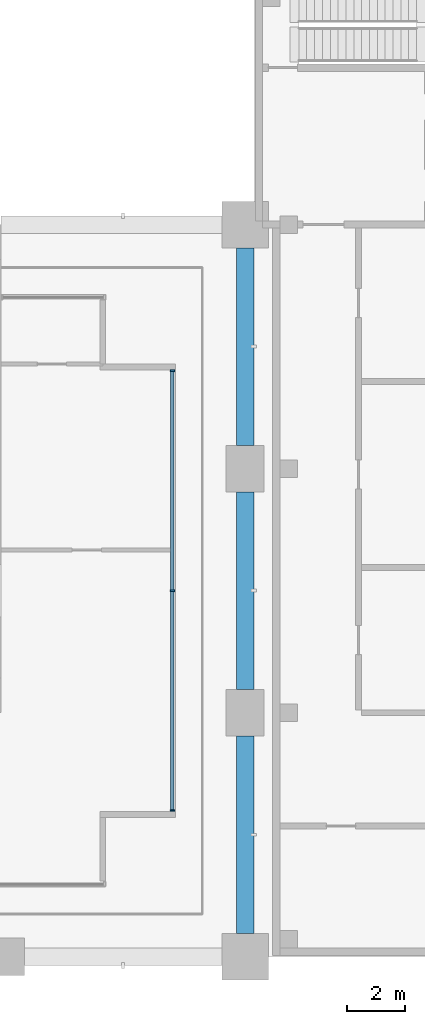
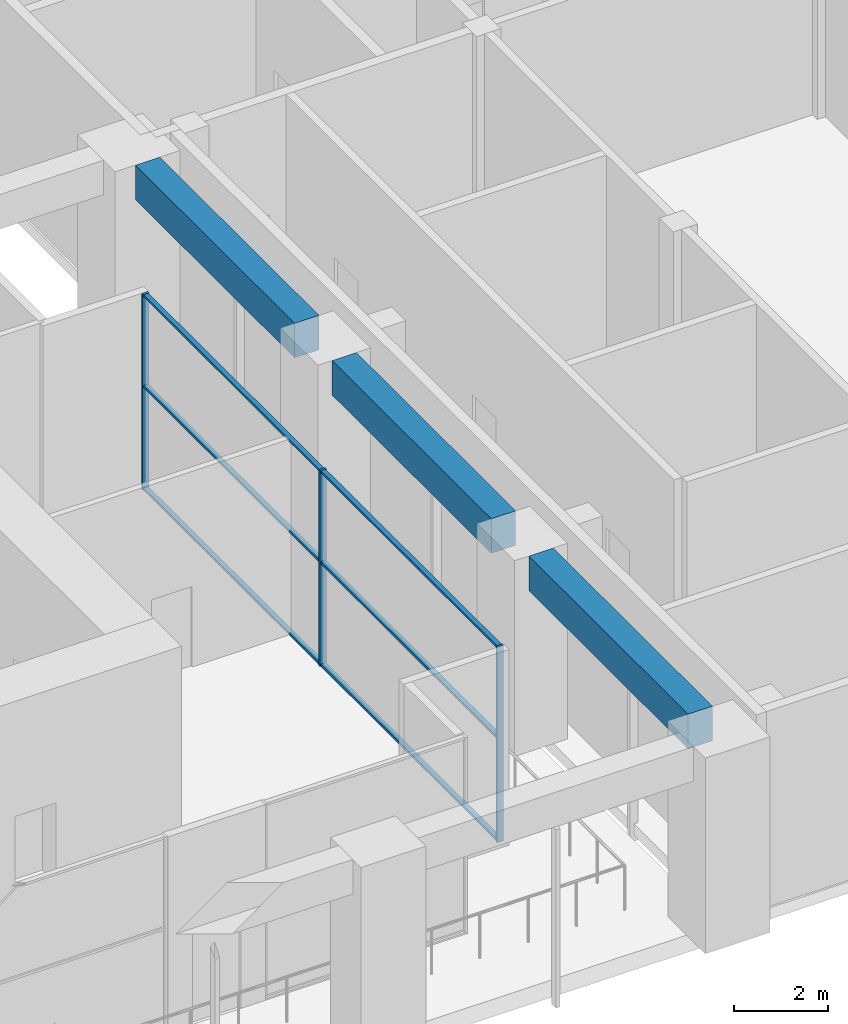
# One storey, part 12 of 33: 9 members, 3 beams, 1 element without a shape of its own.
"""IFC4 building model written with IfcOpenShell, lengths in metres."""

from ifc_helpers import new_model, si_unit, direction, frame, origin, origin_2d, place, context, subcontext, project, spatial, rectangle, extrude, material, material_profile, profile_set, type_object, element, aggregate, save


model = new_model("IFC4")

# Units and contexts
model_context = context("Model", 3, precision=1e-05, world=origin(), true_north=direction((0.0, 1.0)))
body_context = subcontext(model_context, "Body", "Model", "MODEL_VIEW")
ifc_project = project(units=[si_unit("LENGTHUNIT", "METRE"), si_unit("AREAUNIT", "SQUARE_METRE"), si_unit("VOLUMEUNIT", "CUBIC_METRE"), si_unit("PLANEANGLEUNIT", "RADIAN"), si_unit("MASSUNIT", "GRAM", prefix="KILO")], contexts=[model_context])

# Site, building, storey
site_placement = place(None, origin())
site = spatial("IfcSite", under=ifc_project, at=site_placement, CompositionType="ELEMENT")
building_placement = place(site_placement, origin())
building = spatial("IfcBuilding", under=site, at=building_placement, Name="Vermilion Gate Residences", CompositionType="ELEMENT")
storey_placement = place(building_placement, frame((0.0, 0.0, 14.39990234375)))
storey = spatial("IfcBuildingStorey", under=building, at=storey_placement, Name="L02", CompositionType="ELEMENT", Elevation=14.39990234375)

# Curtain wall, members
ifc_material_1 = material(Name="Aluminium and glass", Category="aluminium")
curtain_wall_type = type_object("IfcCurtainWallType", Name="AMENITY GLAZING CURTAIN WALL", PredefinedType="NOTDEFINED", material=ifc_material_1)
curtain_wall_placement = place(storey_placement, origin())
curtain_wall = element("IfcCurtainWall", 1, at=curtain_wall_placement, inside=storey, type_object=curtain_wall_type, Name="Amenity Glazing 90", PredefinedType="NOTDEFINED")
ifc_material_2 = material(Name="Aluminium", Category="aluminium")
ifc_material_profile_1 = material_profile(ifc_material_2, rectangle(XDim=0.159912109375, YDim=0.06005859375, at=origin_2d()), Name="MULLION 60 X 160")
ifc_profile_set_1 = profile_set([ifc_material_profile_1], Name="Aluminium")
member_type_1 = type_object("IfcMemberType", Name="AMENITY GLAZING MULLION 60 X 160", PredefinedType="MULLION", material=ifc_profile_set_1)
member_1_placement = place(storey_placement, frame((64.699951171875, 5.030029296875, 0.0), z_axis=(0.0, 0.0, 1.0), x_axis=(-1.0, 0.0, 0.0)))
member_1 = element("IfcMember", 2, at=member_1_placement, type_object=member_type_1, Name="ECW2 mullion 1", PredefinedType="MULLION", context=body_context, shape_type="SweptSolid", body=[
    extrude(rectangle(XDim=0.159912109375, YDim=0.06005859375, at=origin_2d()), origin(), (0.0, 0.0, 1.0), 5.10009765625),
])
member_2_placement = place(storey_placement, frame((64.699951171875, 12.60009765625, 0.0), z_axis=(0.0, 0.0, 1.0), x_axis=(-1.0, 0.0, 0.0)))
member_2 = element("IfcMember", 3, at=member_2_placement, type_object=member_type_1, Name="ECW2 mullion 2", PredefinedType="MULLION", context=body_context, shape_type="SweptSolid", body=[
    extrude(rectangle(XDim=0.159912109375, YDim=0.06005859375, at=origin_2d()), origin(), (0.0, 0.0, 1.0), 5.10009765625),
])
member_3_placement = place(storey_placement, frame((64.699951171875, 20.169921875, 0.0), z_axis=(0.0, 0.0, 1.0), x_axis=(-1.0, 0.0, 0.0)))
member_3 = element("IfcMember", 4, at=member_3_placement, type_object=member_type_1, Name="ECW2 mullion 3", PredefinedType="MULLION", context=body_context, shape_type="SweptSolid", body=[
    extrude(rectangle(XDim=0.159912109375, YDim=0.06005859375, at=origin_2d()), origin(), (0.0, 0.0, 1.0), 5.10009765625),
])
ifc_material_3 = material(Name="Aluminium", Category="aluminium")
ifc_material_profile_2 = material_profile(ifc_material_3, rectangle(XDim=0.1201171875, YDim=0.06005859375, at=origin_2d()), Name="TRANSOM 60 X 120")
ifc_profile_set_2 = profile_set([ifc_material_profile_2], Name="Aluminium")
member_type_2 = type_object("IfcMemberType", Name="AMENITY GLAZING TRANSOM 60 X 120", PredefinedType="MULLION", material=ifc_profile_set_2)
member_4_placement = place(storey_placement, frame((64.699951171875, 5.06005859375, 0.030029296875), z_axis=(0.0, 1.0, 0.0), x_axis=(-1.0, 0.0, 0.0)))
member_4 = element("IfcMember", 5, at=member_4_placement, type_object=member_type_2, Name="ECW2 transom 1.1", PredefinedType="MULLION", context=body_context, shape_type="SweptSolid", body=[
    extrude(rectangle(XDim=0.1201171875, YDim=0.06005859375, at=origin_2d()), origin(), (0.0, 0.0, 1.0), 7.510009765625),
])
member_5_placement = place(storey_placement, frame((64.699951171875, 5.06005859375, 2.7001953125), z_axis=(0.0, 1.0, 0.0), x_axis=(-1.0, 0.0, 0.0)))
member_5 = element("IfcMember", 6, at=member_5_placement, type_object=member_type_2, Name="ECW2 transom 1.2", PredefinedType="MULLION", context=body_context, shape_type="SweptSolid", body=[
    extrude(rectangle(XDim=0.1201171875, YDim=0.06005859375, at=origin_2d()), origin(), (0.0, 0.0, 1.0), 7.510009765625),
])
member_6_placement = place(storey_placement, frame((64.699951171875, 5.06005859375, 5.070068359375), z_axis=(0.0, 1.0, 0.0), x_axis=(-1.0, 0.0, 0.0)))
member_6 = element("IfcMember", 7, at=member_6_placement, type_object=member_type_2, Name="ECW2 transom 1.3", PredefinedType="MULLION", context=body_context, shape_type="SweptSolid", body=[
    extrude(rectangle(XDim=0.1201171875, YDim=0.06005859375, at=origin_2d()), origin(), (0.0, 0.0, 1.0), 7.510009765625),
])
member_7_placement = place(storey_placement, frame((64.699951171875, 12.6298828125, 0.030029296875), z_axis=(0.0, 1.0, 0.0), x_axis=(-1.0, 0.0, 0.0)))
member_7 = element("IfcMember", 8, at=member_7_placement, type_object=member_type_2, Name="ECW2 transom 2.1", PredefinedType="MULLION", context=body_context, shape_type="SweptSolid", body=[
    extrude(rectangle(XDim=0.1201171875, YDim=0.06005859375, at=origin_2d()), origin(), (0.0, 0.0, 1.0), 7.510009765625),
])
member_8_placement = place(storey_placement, frame((64.699951171875, 12.6298828125, 2.7001953125), z_axis=(0.0, 1.0, 0.0), x_axis=(-1.0, 0.0, 0.0)))
member_8 = element("IfcMember", 9, at=member_8_placement, type_object=member_type_2, Name="ECW2 transom 2.2", PredefinedType="MULLION", context=body_context, shape_type="SweptSolid", body=[
    extrude(rectangle(XDim=0.1201171875, YDim=0.06005859375, at=origin_2d()), origin(), (0.0, 0.0, 1.0), 7.510009765625),
])
member_9_placement = place(storey_placement, frame((64.699951171875, 12.6298828125, 5.070068359375), z_axis=(0.0, 1.0, 0.0), x_axis=(-1.0, 0.0, 0.0)))
member_9 = element("IfcMember", 10, at=member_9_placement, type_object=member_type_2, Name="ECW2 transom 2.3", PredefinedType="MULLION", context=body_context, shape_type="SweptSolid", body=[
    extrude(rectangle(XDim=0.1201171875, YDim=0.06005859375, at=origin_2d()), origin(), (0.0, 0.0, 1.0), 7.510009765625),
])
aggregate(curtain_wall, [member_1, member_2, member_3, member_4, member_5, member_6, member_7, member_8, member_9])

# Beams
ifc_material_4 = material(Name="Concrete C60 red-oxide pigmented", Category="concrete")
ifc_material_profile_3 = material_profile(ifc_material_4, rectangle(XDim=0.60009765625, YDim=0.89990234375, at=origin_2d()), Name="RC-600x900")
ifc_profile_set_3 = profile_set([ifc_material_profile_3], Name="Concrete C60 red-oxide pigmented")
beam_type = type_object("IfcBeamType", Name="RC EDGE BEAM 600 X 900 C60", PredefinedType="BEAM", material=ifc_profile_set_3)
for number, where, z_axis, x_axis, name in (
    (11, (67.199951171875, 0.800048828125, 4.650146484375), (0.0, 1.0, 0.0), (-1.0, 0.0, 0.0), "Edge beam L02 21"),
    (12, (67.199951171875, 9.199951171875, 4.650146484375), (0.0, 1.0, 0.0), (-1.0, 0.0, 0.0), "Edge beam L02 22"),
):
    element("IfcBeam", number, at=place(storey_placement, frame(where, z_axis=z_axis, x_axis=x_axis)), inside=storey, type_object=beam_type, Name=name, PredefinedType="BEAM", context=body_context, shape_type="SweptSolid", body=[
        extrude(rectangle(XDim=0.60009765625, YDim=0.89990234375, at=origin_2d()), origin(), (0.0, 0.0, 1.0), 6.800048828125),
    ])
beam_placement = place(storey_placement, frame((67.199951171875, 17.60009765625, 4.650146484375), z_axis=(0.0, 1.0, 0.0), x_axis=(-1.0, 0.0, 0.0)))
element("IfcBeam", 13, at=beam_placement, inside=storey, type_object=beam_type, Name="Edge beam L02 23", PredefinedType="BEAM", context=body_context, shape_type="SweptSolid", body=[
    extrude(rectangle(XDim=0.60009765625, YDim=0.89990234375, at=origin_2d()), origin(), (0.0, 0.0, 1.0), 6.7998046875),
])

save(model, "model.ifc")
